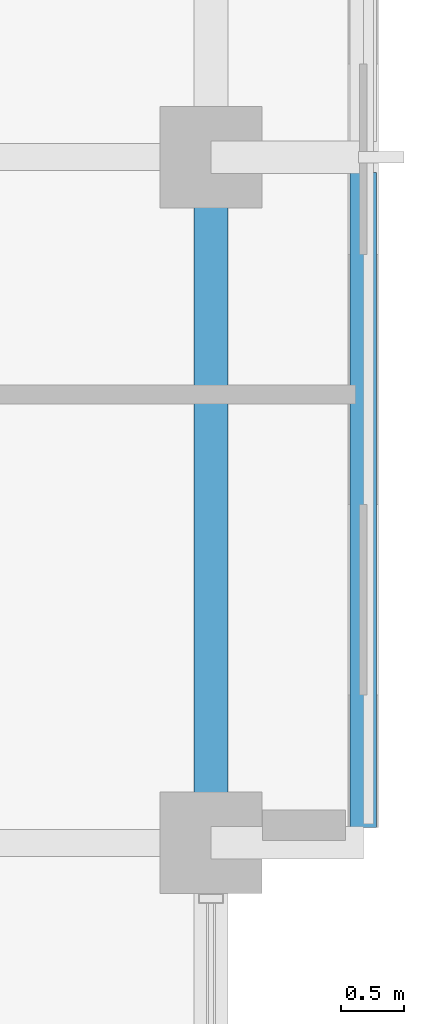
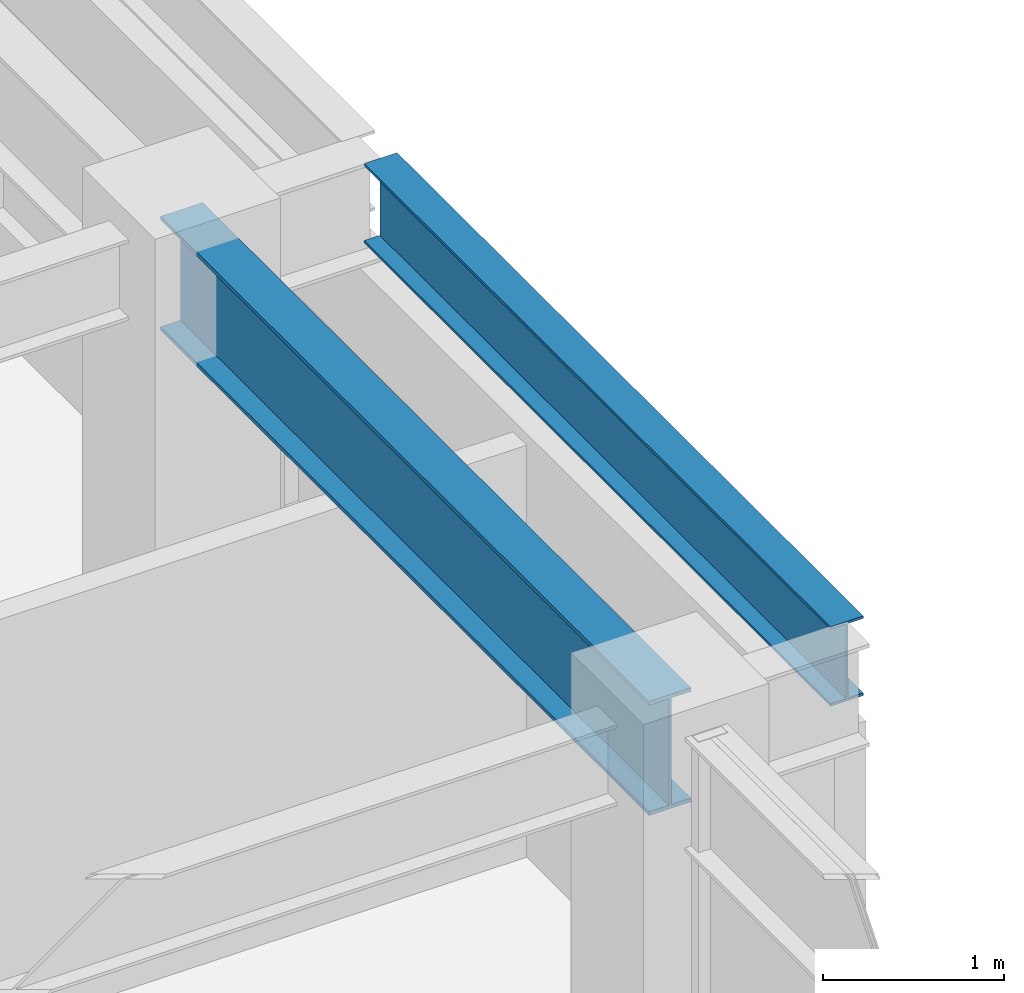
# One storey, part 13 of 30: 2 beams.
"""IFC4 building model written with IfcOpenShell, lengths in metres."""

from ifc_helpers import new_model, si_unit, direction, frame, origin, origin_2d, place, context, subcontext, project, spatial, i_section, extrude, material, material_profile, profile_set, type_object, element, save


model = new_model("IFC4")

# Units and contexts
model_context = context("Model", 3, precision=1e-05, world=origin(), true_north=direction((0.0, 1.0)))
body_context = subcontext(model_context, "Body", "Model", "MODEL_VIEW")
ifc_project = project(units=[si_unit("LENGTHUNIT", "METRE"), si_unit("AREAUNIT", "SQUARE_METRE"), si_unit("VOLUMEUNIT", "CUBIC_METRE"), si_unit("PLANEANGLEUNIT", "RADIAN"), si_unit("MASSUNIT", "GRAM", prefix="KILO")], contexts=[model_context])

# Site, building, storey
site_placement = place(None, origin())
site = spatial("IfcSite", under=ifc_project, at=site_placement, CompositionType="ELEMENT")
building_placement = place(site_placement, origin())
building = spatial("IfcBuilding", under=site, at=building_placement, Name="Surkhivell Harbour Commons", CompositionType="ELEMENT")
storey_placement = place(building_placement, frame((0.0, 0.0, 227.25)))
storey = spatial("IfcBuildingStorey", under=building, at=storey_placement, Name="L59", CompositionType="ELEMENT", Elevation=227.25)

# Beams
ifc_material = material(Name="Steel S355", Category="steel")
ifc_material_profile_1 = material_profile(ifc_material, i_section(OverallWidth=0.2099609375, OverallDepth=0.537109375, WebThickness=0.0107421875, FlangeThickness=0.017333984375, at=origin_2d()), Name="UB533x210x101")
ifc_profile_set_1 = profile_set([ifc_material_profile_1], Name="Steel S355")
beam_type_1 = type_object("IfcBeamType", Name="BM-GRD-533B", PredefinedType="BEAM", material=ifc_profile_set_1)
beam_1_placement = place(storey_placement, frame((22.800048828125, 5.52197265625, 3.301513671875), z_axis=(0.0, 1.0, 0.0), x_axis=(-1.0, 0.0, 0.0)))
element("IfcBeam", 1, at=beam_1_placement, inside=storey, type_object=beam_type_1, Name="L59 Box Rim Spandrel (22.8,5.4)", PredefinedType="BEAM", context=body_context, shape_type="SweptSolid", body=[
    extrude(i_section(OverallWidth=0.2099609375, OverallDepth=0.537109375, WebThickness=0.0107421875, FlangeThickness=0.017333984375, at=origin_2d()), origin(), (0.0, 0.0, 1.0), 5.156005859375),
])
ifc_material_profile_2 = material_profile(ifc_material, i_section(OverallWidth=0.26806640625, OverallDepth=0.77001953125, WebThickness=0.015625, FlangeThickness=0.025390625, at=origin_2d()), Name="UB762x267x197")
ifc_profile_set_2 = profile_set([ifc_material_profile_2], Name="Steel S355")
beam_type_2 = type_object("IfcBeamType", Name="BM-SPN-762", PredefinedType="SPANDREL", material=ifc_profile_set_2)
beam_2_placement = place(storey_placement, frame((21.60009765625, 5.39990234375, 3.18505859375), z_axis=(0.0, 1.0, 0.0), x_axis=(-1.0, 0.0, 0.0)))
element("IfcBeam", 2, at=beam_2_placement, inside=storey, type_object=beam_type_2, Name="L59 Tube Spandrel (21.6,5.4)", PredefinedType="SPANDREL", context=body_context, shape_type="SweptSolid", body=[
    extrude(i_section(OverallWidth=0.26806640625, OverallDepth=0.77001953125, WebThickness=0.015625, FlangeThickness=0.025390625, at=origin_2d()), origin(), (0.0, 0.0, 1.0), 5.400146484375),
])

save(model, "model.ifc")
